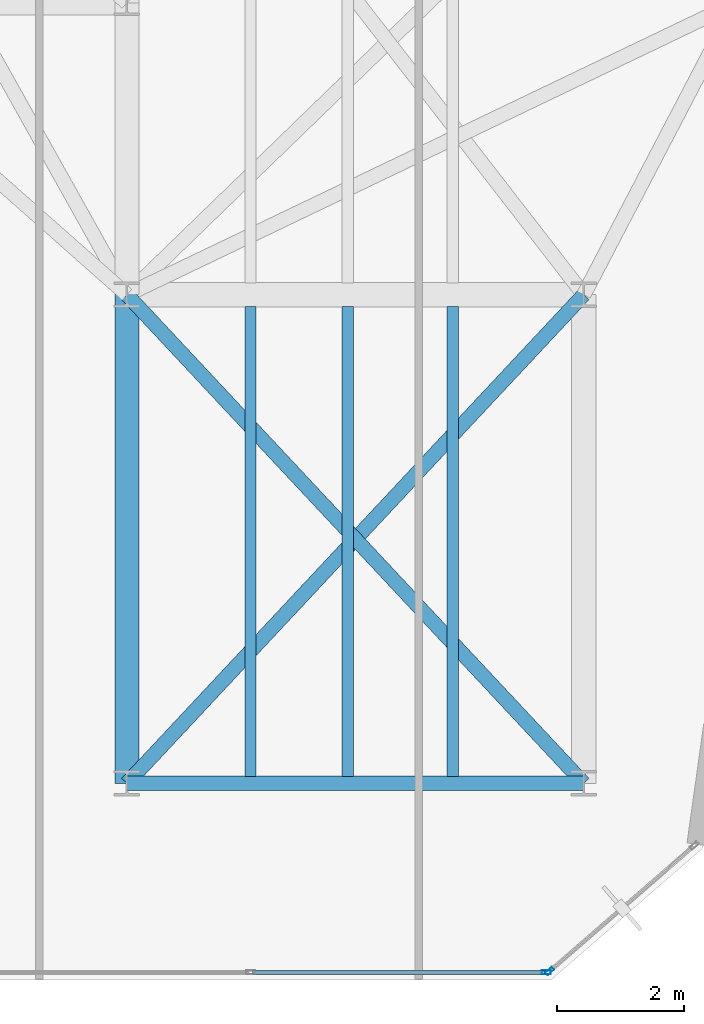
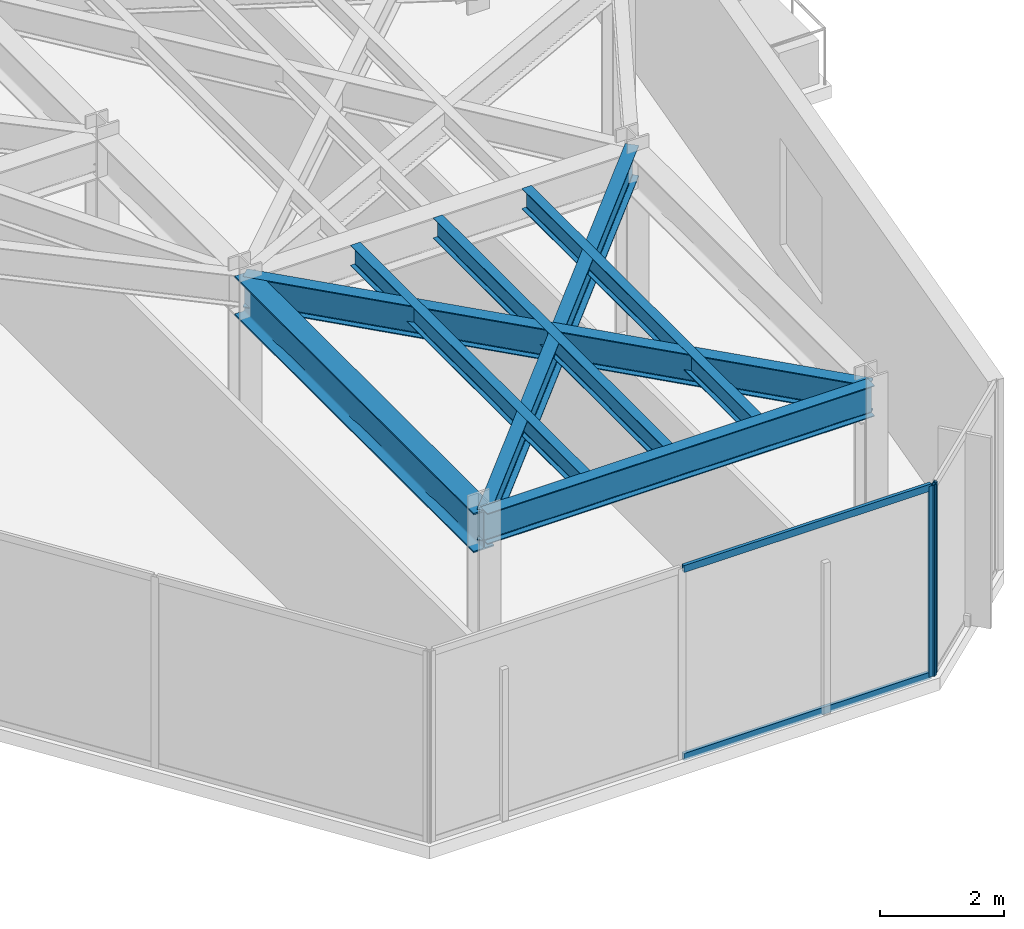
# One storey, part 17 of 26: 7 beams, 4 members, 2 elements without a shape of their own.
"""IFC4 building model written with IfcOpenShell, lengths in metres."""

from ifc_helpers import new_model, si_unit, direction, frame, origin, origin_2d, place, context, subcontext, project, spatial, hollow_rectangle, i_section, extrude, material, layer, layer_set, material_profile, profile_set, type_object, element, aggregate, save


model = new_model("IFC4")

# Units and contexts
model_context = context("Model", 3, precision=1e-05, world=origin(), true_north=direction((0.0, 1.0)))
body_context = subcontext(model_context, "Body", "Model", "MODEL_VIEW")
ifc_project = project(units=[si_unit("LENGTHUNIT", "METRE"), si_unit("AREAUNIT", "SQUARE_METRE"), si_unit("VOLUMEUNIT", "CUBIC_METRE"), si_unit("PLANEANGLEUNIT", "RADIAN"), si_unit("MASSUNIT", "GRAM", prefix="KILO")], contexts=[model_context])

# Site, building, storey
site_placement = place(None, origin())
site = spatial("IfcSite", under=ifc_project, at=site_placement, CompositionType="ELEMENT")
building_placement = place(site_placement, origin())
building = spatial("IfcBuilding", under=site, at=building_placement, Name="Kravanh Interchange Tower", CompositionType="ELEMENT")
storey_placement = place(building_placement, frame((0.0, 0.0, 212.5)))
storey = spatial("IfcBuildingStorey", under=building, at=storey_placement, Name="L51", CompositionType="ELEMENT", Elevation=212.5)

# Curtain wall, member
ifc_material_1 = material(Name="Anodised Bronze Aluminium", Category="aluminium")
ifc_layer = layer(ifc_material_1, 0.179931640625)
ifc_layer_set = layer_set([ifc_layer], Name="Unitised Curtain Wall System CW-Z3 Upper Office")
curtain_wall_type = type_object("IfcCurtainWallType", Name="Unitised Curtain Wall System CW-Z3 Upper Office", PredefinedType="NOTDEFINED", material=ifc_layer_set)
curtain_wall_1_placement = place(storey_placement, origin())
curtain_wall_1 = element("IfcCurtainWall", 1, at=curtain_wall_1_placement, inside=storey, type_object=curtain_wall_type, Name="L51 Unitised Curtain Wall CW-L51-02", PredefinedType="NOTDEFINED")
ifc_material_2 = material(Name="Anodised Bronze Aluminium", Category="aluminium")
ifc_material_profile_1 = material_profile(ifc_material_2, hollow_rectangle(XDim=0.06005859375, YDim=0.139892578125, WallThickness=0.00390625, at=origin_2d()), Name="ALU60X140X4")
ifc_profile_set_1 = profile_set([ifc_material_profile_1], Name="Anodised Bronze Aluminium")
member_type_1 = type_object("IfcMemberType", Name="Curtain Wall Mullion ALU60X140X4 Bronze", PredefinedType="MULLION", material=ifc_profile_set_1)
member_1_placement = place(storey_placement, frame((62.66357421875, 11.539794921875, 0.0), z_axis=(0.0, 0.0, 1.0), x_axis=(0.65605090137, -0.754716645379, 0.0)))
member_1 = element("IfcMember", 2, at=member_1_placement, type_object=member_type_1, Name="CW-Z3 mullion 2", PredefinedType="MULLION", context=body_context, shape_type="SweptSolid", body=[
    extrude(hollow_rectangle(XDim=0.06005859375, YDim=0.139892578125, WallThickness=0.00390625, at=origin_2d()), origin(), (0.0, 0.0, 1.0), 3.7548828125),
])
aggregate(curtain_wall_1, [member_1])

# Curtain wall, members
curtain_wall_2_placement = place(storey_placement, origin())
curtain_wall_2 = element("IfcCurtainWall", 3, at=curtain_wall_2_placement, inside=storey, type_object=curtain_wall_type, Name="L51 Unitised Curtain Wall CW-L51-03", PredefinedType="NOTDEFINED")
member_2_placement = place(storey_placement, frame((62.611083984375, 11.52001953125, 0.0), z_axis=(0.0, 0.0, 1.0), x_axis=(0.0, -1.0, 0.0)))
member_2 = element("IfcMember", 4, at=member_2_placement, type_object=member_type_1, Name="CW-Z3 mullion 1", PredefinedType="MULLION", context=body_context, shape_type="SweptSolid", body=[
    extrude(hollow_rectangle(XDim=0.06005859375, YDim=0.139892578125, WallThickness=0.00390625, at=origin_2d()), origin(), (0.0, 0.0, 1.0), 3.7548828125),
])
ifc_material_3 = material(Name="Anodised Bronze Aluminium", Category="aluminium")
ifc_material_profile_2 = material_profile(ifc_material_3, hollow_rectangle(XDim=0.06005859375, YDim=0.139892578125, WallThickness=0.00390625, at=origin_2d()), Name="ALU60X140X4")
ifc_profile_set_2 = profile_set([ifc_material_profile_2], Name="Anodised Bronze Aluminium")
member_type_2 = type_object("IfcMemberType", Name="Curtain Wall Transom ALU60X140X4 Bronze", PredefinedType="USERDEFINED", material=ifc_profile_set_2)
member_3_placement = place(storey_placement, frame((62.5810546875, 11.52001953125, 0.030029296875), z_axis=(-1.0, 0.0, 0.0), x_axis=(0.0, -1.0, 0.0)))
member_3 = element("IfcMember", 5, at=member_3_placement, type_object=member_type_2, Name="CW-Z3 transom 1.1", ObjectType="TRANSOM", PredefinedType="USERDEFINED", context=body_context, shape_type="SweptSolid", body=[
    extrude(hollow_rectangle(XDim=0.06005859375, YDim=0.139892578125, WallThickness=0.00390625, at=origin_2d()), origin(), (0.0, 0.0, 1.0), 4.59912109375),
])
member_4_placement = place(storey_placement, frame((62.5810546875, 11.52001953125, 3.72509765625), z_axis=(-1.0, 0.0, 0.0), x_axis=(0.0, -1.0, 0.0)))
member_4 = element("IfcMember", 6, at=member_4_placement, type_object=member_type_2, Name="CW-Z3 transom 1.2", ObjectType="TRANSOM", PredefinedType="USERDEFINED", context=body_context, shape_type="SweptSolid", body=[
    extrude(hollow_rectangle(XDim=0.06005859375, YDim=0.139892578125, WallThickness=0.00390625, at=origin_2d()), origin(), (0.0, 0.0, 1.0), 4.59912109375),
])
aggregate(curtain_wall_2, [member_2, member_3, member_4])

# Beams
ifc_material_4 = material(Name="Structural Steel S355", Category="steel")
ifc_material_profile_3 = material_profile(ifc_material_4, i_section(OverallWidth=0.381103515625, OverallDepth=0.77294921875, WebThickness=0.0166015625, FlangeThickness=0.027099609375, FilletRadius=0.02490234375, at=origin_2d()), Name="W30X173")
ifc_profile_set_3 = profile_set([ifc_material_profile_3], Name="Structural Steel S355")
beam_type_1 = type_object("IfcBeamType", Name="Floor Beam W30X173 Structural Steel S355", PredefinedType="BEAM", material=ifc_profile_set_3)
beam_1_placement = place(storey_placement, frame((56.0, 14.5, 3.368408203125), z_axis=(0.0, 1.0, 0.0), x_axis=(-1.0, 0.0, 0.0)))
element("IfcBeam", 7, at=beam_1_placement, inside=storey, type_object=beam_type_1, Name="L51 Primary Floor Girder 87", PredefinedType="BEAM", context=body_context, shape_type="SweptSolid", body=[
    extrude(i_section(OverallWidth=0.381103515625, OverallDepth=0.77294921875, WebThickness=0.0166015625, FlangeThickness=0.027099609375, FilletRadius=0.02490234375, at=origin_2d()), origin(), (0.0, 0.0, 1.0), 7.699951171875),
])
ifc_material_5 = material(Name="Structural Steel S355", Category="steel")
ifc_material_profile_4 = material_profile(ifc_material_5, i_section(OverallWidth=0.177978515625, OverallDepth=0.406005859375, WebThickness=0.0078125, FlangeThickness=0.0126953125, FilletRadius=0.01611328125, at=origin_2d()), Name="W16X40")
ifc_profile_set_4 = profile_set([ifc_material_profile_4], Name="Structural Steel S355")
beam_type_2 = type_object("IfcBeamType", Name="Floor Joist W16X40 Structural Steel S355", PredefinedType="JOIST", material=ifc_profile_set_4)
for number, where, z_axis, x_axis, name in (
    (8, (57.947998046875, 14.60888671875, 3.552001953125), (0.0, 1.0, 0.0), (-1.0, 0.0, 0.0), "L51 Secondary Floor Joist 4"),
    (9, (59.48193359375, 14.60888671875, 3.552001953125), (0.0, 1.0, 0.0), (-1.0, 0.0, 0.0), "L51 Secondary Floor Joist 5"),
    (10, (61.134033203125, 14.60888671875, 3.552001953125), (0.0, 1.0, 0.0), (-1.0, 0.0, 0.0), "L51 Secondary Floor Joist 6"),
):
    element("IfcBeam", number, at=place(storey_placement, frame(where, z_axis=z_axis, x_axis=x_axis)), inside=storey, type_object=beam_type_2, Name=name, PredefinedType="JOIST", context=body_context, shape_type="SweptSolid", body=[
        extrude(i_section(OverallWidth=0.177978515625, OverallDepth=0.406005859375, WebThickness=0.0078125, FlangeThickness=0.0126953125, FilletRadius=0.01611328125, at=origin_2d()), origin(), (0.0, 0.0, 1.0), 7.405517578125),
    ])
ifc_material_6 = material(Name="Structural Steel S355", Category="steel")
ifc_material_profile_5 = material_profile(ifc_material_6, i_section(OverallWidth=0.22802734375, OverallDepth=0.60791015625, WebThickness=0.01123046875, FlangeThickness=0.017333984375, FilletRadius=0.02197265625, at=origin_2d()), Name="W24X76")
ifc_profile_set_5 = profile_set([ifc_material_profile_5], Name="Structural Steel S355")
beam_type_3 = type_object("IfcBeamType", Name="Floor Spandrel W24X76 Structural Steel S355", PredefinedType="SPANDREL", material=ifc_profile_set_5)
beam_2_placement = place(storey_placement, frame((56.0, 14.5, 3.450927734375), z_axis=(1.0, 0.0, 0.0), x_axis=(0.0, 1.0, 0.0)))
element("IfcBeam", 11, at=beam_2_placement, inside=storey, type_object=beam_type_3, Name="L51 Perimeter Spandrel 86", PredefinedType="SPANDREL", context=body_context, shape_type="SweptSolid", body=[
    extrude(i_section(OverallWidth=0.22802734375, OverallDepth=0.60791015625, WebThickness=0.01123046875, FlangeThickness=0.017333984375, FilletRadius=0.02197265625, at=origin_2d()), origin(), (0.0, 0.0, 1.0), 7.199951171875),
])
for number, where, z_axis, x_axis, name in (
    (12, (56.0, 14.5, 3.450927734375), (0.682993762113, 0.73042420614, 0.0), (-0.73042420614, 0.682993762113, 0.0), "L51 Perimeter Spandrel 88"),
    (13, (63.199951171875, 14.5, 3.450927734375), (-0.682993762113, 0.73042420614, 0.0), (-0.73042420614, -0.682993762113, 0.0), "L51 Perimeter Spandrel 90"),
):
    element("IfcBeam", number, at=place(storey_placement, frame(where, z_axis=z_axis, x_axis=x_axis)), inside=storey, type_object=beam_type_3, Name=name, PredefinedType="SPANDREL", context=body_context, shape_type="SweptSolid", body=[
        extrude(i_section(OverallWidth=0.22802734375, OverallDepth=0.60791015625, WebThickness=0.01123046875, FlangeThickness=0.017333984375, FilletRadius=0.02197265625, at=origin_2d()), origin(), (0.0, 0.0, 1.0), 10.541748046875),
    ])

save(model, "model.ifc")
